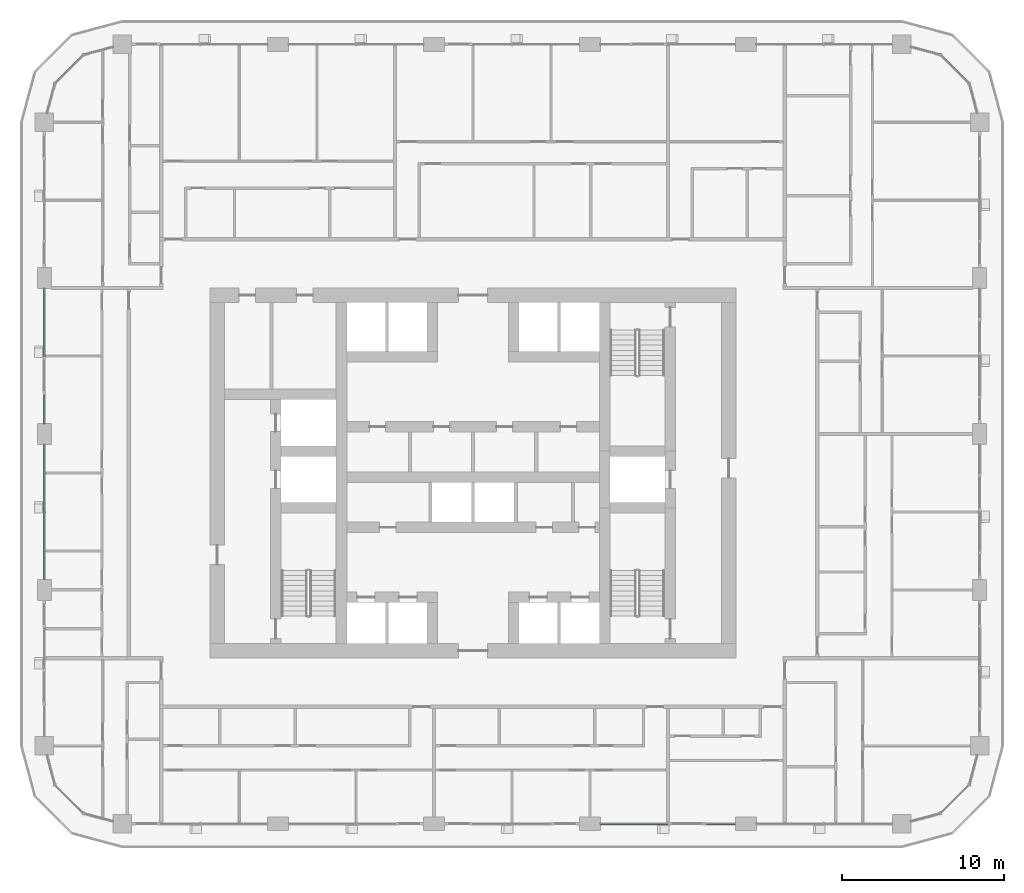
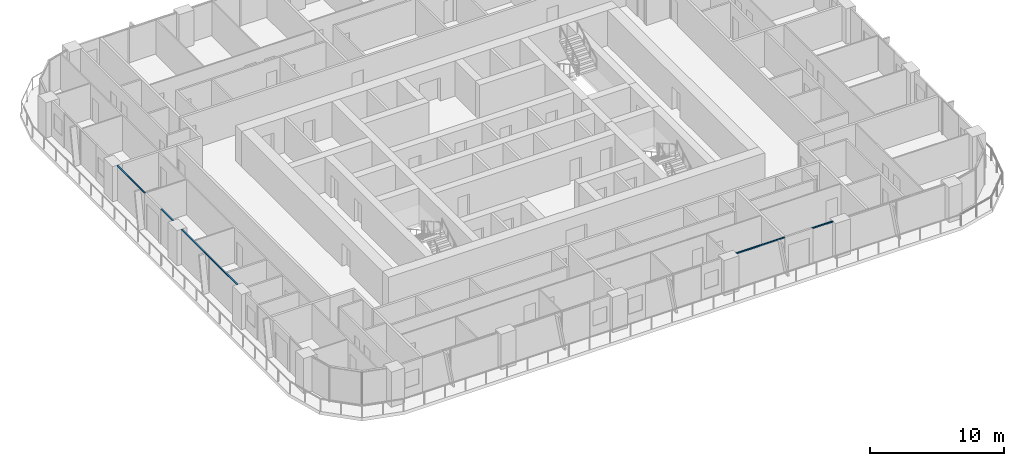
# One storey, part 3 of 21: 5 members, 3 elements without a shape of their own.
"""IFC4 building model written with IfcOpenShell, lengths in metres."""

from ifc_helpers import new_model, si_unit, direction, frame, origin, origin_2d, place, context, subcontext, project, spatial, rectangle, extrude, material, layer, layer_set, material_profile, profile_set, type_object, element, aggregate, save


model = new_model("IFC4")

# Units and contexts
model_context = context("Model", 3, precision=1e-05, world=origin(), true_north=direction((0.0, 1.0)))
body_context = subcontext(model_context, "Body", "Model", "MODEL_VIEW")
ifc_project = project(units=[si_unit("LENGTHUNIT", "METRE"), si_unit("AREAUNIT", "SQUARE_METRE"), si_unit("VOLUMEUNIT", "CUBIC_METRE"), si_unit("PLANEANGLEUNIT", "RADIAN"), si_unit("MASSUNIT", "GRAM", prefix="KILO")], contexts=[model_context])

# Site, building, storey
site_placement = place(None, origin())
site = spatial("IfcSite", under=ifc_project, at=site_placement, CompositionType="ELEMENT")
building_placement = place(site_placement, origin())
building = spatial("IfcBuilding", under=site, at=building_placement, Name="Madar Terraces", CompositionType="ELEMENT")
storey_placement = place(building_placement, frame((0.0, 0.0, 92.699951171875)))
storey = spatial("IfcBuildingStorey", under=building, at=storey_placement, Name="L23", CompositionType="ELEMENT", Elevation=92.699951171875)

# Curtain wall, members
ifc_material_1 = material(Name="Glass, ceramic frit dark grey, with black aluminium frame", Category="aluminium")
ifc_layer = layer(ifc_material_1, 0.199951171875)
ifc_layer_set = layer_set([ifc_layer], Name="Facade curtain wall, fritted glass")
curtain_wall_type = type_object("IfcCurtainWallType", Name="Facade curtain wall, fritted glass", PredefinedType="NOTDEFINED", material=ifc_layer_set)
curtain_wall_1_placement = place(storey_placement, origin())
curtain_wall_1 = element("IfcCurtainWall", 1, at=curtain_wall_1_placement, inside=storey, type_object=curtain_wall_type, Name="Outer skin curtain wall south bay 4", PredefinedType="NOTDEFINED")
ifc_material_2 = material(Name="Aluminium, black anodised", Category="aluminium")
ifc_material_profile = material_profile(ifc_material_2, rectangle(XDim=0.1201171875, YDim=0.06005859375, at=origin_2d()), Name="Facade transom 60x120")
ifc_profile_set = profile_set([ifc_material_profile], Name="Aluminium, black anodised")
member_type = type_object("IfcMemberType", Name="Facade transom 60x120", PredefinedType="USERDEFINED", material=ifc_profile_set)
member_1_placement = place(storey_placement, frame((39.050048828125, 4.800048828125, 3.170166015625), z_axis=(1.0, 0.0, 0.0), x_axis=(0.0, 1.0, 0.0)))
member_1 = element("IfcMember", 2, at=member_1_placement, type_object=member_type, Name="Transom 1", ObjectType="TRANSOM", PredefinedType="USERDEFINED", context=body_context, shape_type="SweptSolid", body=[
    extrude(rectangle(XDim=0.1201171875, YDim=0.06005859375, at=origin_2d()), origin(), (0.0, 0.0, 1.0), 4.14990234375),
])
member_2_placement = place(storey_placement, frame((45.60009765625, 4.800048828125, 3.170166015625), z_axis=(1.0, 0.0, 0.0), x_axis=(0.0, 1.0, 0.0)))
member_2 = element("IfcMember", 3, at=member_2_placement, type_object=member_type, Name="Transom 2", ObjectType="TRANSOM", PredefinedType="USERDEFINED", context=body_context, shape_type="SweptSolid", body=[
    extrude(rectangle(XDim=0.1201171875, YDim=0.06005859375, at=origin_2d()), origin(), (0.0, 0.0, 1.0), 1.75),
])
aggregate(curtain_wall_1, [member_1, member_2])

curtain_wall_2_placement = place(storey_placement, origin())
curtain_wall_2 = element("IfcCurtainWall", 4, at=curtain_wall_2_placement, inside=storey, type_object=curtain_wall_type, Name="Outer skin curtain wall west bay 2", PredefinedType="NOTDEFINED")
member_3_placement = place(storey_placement, frame((4.800048828125, 37.75, 3.170166015625), z_axis=(0.0, -1.0, 0.0), x_axis=(1.0, 0.0, 0.0)))
member_3 = element("IfcMember", 5, at=member_3_placement, type_object=member_type, Name="Transom 1", ObjectType="TRANSOM", PredefinedType="USERDEFINED", context=body_context, shape_type="SweptSolid", body=[
    extrude(rectangle(XDim=0.1201171875, YDim=0.06005859375, at=origin_2d()), origin(), (0.0, 0.0, 1.0), 4.14990234375),
])
member_4_placement = place(storey_placement, frame((4.800048828125, 31.199951171875, 3.170166015625), z_axis=(0.0, -1.0, 0.0), x_axis=(1.0, 0.0, 0.0)))
member_4 = element("IfcMember", 6, at=member_4_placement, type_object=member_type, Name="Transom 2", ObjectType="TRANSOM", PredefinedType="USERDEFINED", context=body_context, shape_type="SweptSolid", body=[
    extrude(rectangle(XDim=0.1201171875, YDim=0.06005859375, at=origin_2d()), origin(), (0.0, 0.0, 1.0), 1.75),
])
aggregate(curtain_wall_2, [member_3, member_4])

# Curtain wall, member
curtain_wall_3_placement = place(storey_placement, origin())
curtain_wall_3 = element("IfcCurtainWall", 7, at=curtain_wall_3_placement, inside=storey, type_object=curtain_wall_type, Name="Outer skin curtain wall west bay 3", PredefinedType="NOTDEFINED")
member_5_placement = place(storey_placement, frame((4.800048828125, 28.14990234375, 3.170166015625), z_axis=(0.0, -1.0, 0.0), x_axis=(1.0, 0.0, 0.0)))
member_5 = element("IfcMember", 8, at=member_5_placement, type_object=member_type, Name="Transom 1", ObjectType="TRANSOM", PredefinedType="USERDEFINED", context=body_context, shape_type="SweptSolid", body=[
    extrude(rectangle(XDim=0.1201171875, YDim=0.06005859375, at=origin_2d()), origin(), (0.0, 0.0, 1.0), 8.2998046875),
])
aggregate(curtain_wall_3, [member_5])

save(model, "model.ifc")
